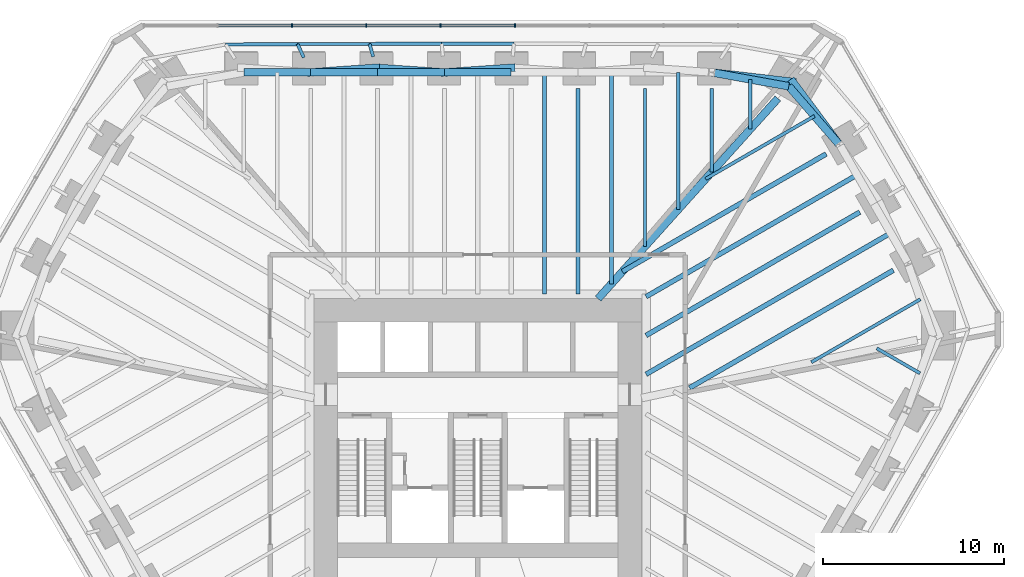
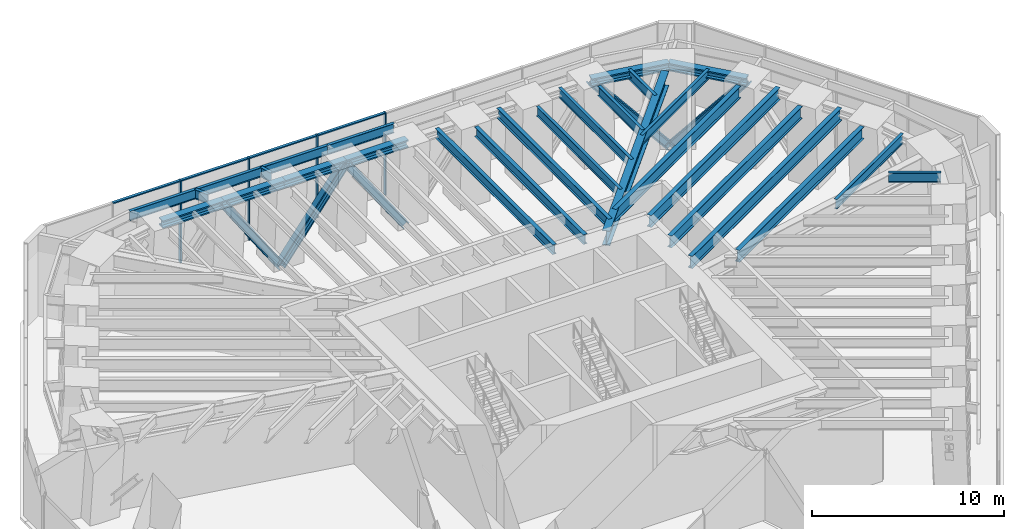
# One storey, part 7 of 12: 28 beams, 13 members, 1 element without a shape of its own.
"""IFC4 building model written with IfcOpenShell, lengths in metres."""

import ifcopenshell
import ifcopenshell.guid

model = None  # the IFC model being written
_history = None  # IfcOwnerHistory: only IFC2X3 demands one
_inside = {}  # id of a spatial element -> (the spatial element, [elements in it])
_under = {}  # id of a project, library or spatial element -> (it, [spatial elements below it])
_declared = {}  # id of a project -> (the project, [libraries it declares])
_typed = {}  # id of a type object -> (the type object, [elements of that type])
_made_of = {}  # id of a material, layer set ... -> (it, [elements and type objects made of it])


def new_model(schema):
    """Start an empty IFC model of exactly this schema.

    Asked for "IFC4X3", IfcOpenShell would pick the latest addendum, in which some entities
    have other attributes; the version numbers below select the first issue.
    IFC2X3 requires an IfcOwnerHistory on every rooted entity: one is made here for all.
    """
    global model, _history
    if schema == "IFC4X3":
        model = ifcopenshell.file(schema_version=(4, 3, 0, 0))
    else:
        model = ifcopenshell.file(schema=schema)
    _inside.clear()
    _under.clear()
    _declared.clear()
    _typed.clear()
    _made_of.clear()
    _history = None
    if model.schema == "IFC2X3":
        org = make("IfcOrganization", Name="unknown")
        user = make(
            "IfcPersonAndOrganization",
            ThePerson=make("IfcPerson", FamilyName="unknown"),
            TheOrganization=org,
        )
        app = make(
            "IfcApplication",
            ApplicationDeveloper=org,
            Version="unknown",
            ApplicationFullName="unknown",
            ApplicationIdentifier="unknown",
        )
        _history = make(
            "IfcOwnerHistory",
            OwningUser=user,
            OwningApplication=app,
            ChangeAction="ADDED",
            CreationDate=0,
        )
    return model


def make(cls, **values):
    """One entity of the class cls with the attributes given. An attribute that is None is left unset."""
    return model.create_entity(
        cls, **{name: value for name, value in values.items() if value is not None}
    )


def rooted(cls, **values):
    """An entity with a GlobalId (a new one), such as an element, a storey or a relation."""
    return make(cls, GlobalId=ifcopenshell.guid.new(), OwnerHistory=_history, **values)


def si_unit(unit_type, name, prefix=None):
    """IfcSIUnit, for example si_unit("LENGTHUNIT", "METRE", prefix="MILLI")."""
    return make("IfcSIUnit", UnitType=unit_type, Prefix=prefix, Name=name)


def assignment(units):
    """IfcUnitAssignment: the units of a project."""
    return None if units is None else make("IfcUnitAssignment", Units=units)


def point(xyz):
    """IfcCartesianPoint."""
    return None if xyz is None else make("IfcCartesianPoint", Coordinates=xyz)


def direction(xyz):
    """IfcDirection."""
    return None if xyz is None else make("IfcDirection", DirectionRatios=xyz)


def frame(location, z_axis=None, x_axis=None):
    """IfcAxis2Placement3D, a coordinate frame: its origin and axes. An axis left out is left unset."""
    return make(
        "IfcAxis2Placement3D",
        Location=point(location),
        Axis=direction(z_axis),
        RefDirection=direction(x_axis),
    )


def frame_2d(location, x_axis=None):
    """IfcAxis2Placement2D, a coordinate frame in the plane: its origin and x axis."""
    return make(
        "IfcAxis2Placement2D", Location=point(location), RefDirection=direction(x_axis)
    )


def origin():
    """The frame at (0, 0, 0) with its axes left unset."""
    return frame((0.0, 0.0, 0.0))


def origin_2d():
    """The frame at (0, 0) in the plane with its x axis left unset."""
    return frame_2d((0.0, 0.0))


def place(relative_to, where):
    """IfcLocalPlacement: puts the frame where relative to a parent placement (None: the world)."""
    return make(
        "IfcLocalPlacement", PlacementRelTo=relative_to, RelativePlacement=where
    )


def context(
    kind, dimensions, precision=None, world=None, true_north=None, identifier=None
):
    """IfcGeometricRepresentationContext, for example the 3D "Model" context."""
    return make(
        "IfcGeometricRepresentationContext",
        ContextIdentifier=identifier,
        ContextType=kind,
        CoordinateSpaceDimension=dimensions,
        Precision=precision,
        WorldCoordinateSystem=world,
        TrueNorth=true_north,
    )


def subcontext(parent, identifier, kind, view, scale=None):
    """IfcGeometricRepresentationSubContext, for example "Body" below "Model"."""
    return make(
        "IfcGeometricRepresentationSubContext",
        ContextIdentifier=identifier,
        ContextType=kind,
        ParentContext=parent,
        TargetScale=scale,
        TargetView=view,
    )


def project(units=None, contexts=None):
    """IfcProject with its units and contexts."""
    return rooted(
        "IfcProject",
        Name="project",
        RepresentationContexts=contexts,
        UnitsInContext=assignment(units),
    )


def spatial(cls, under=None, at=None, **own):
    """A site, building, storey or space (cls), placed at a placement, below another one or the project."""
    s = rooted(cls, ObjectPlacement=at, **own)
    if under is not None:
        _under.setdefault(under.id(), (under, []))[1].append(s)
    return s


def profile(cls, at=None, kind="AREA", **sizes):
    """A parametric profile (cls). Its sizes go by their IFC names, for example OverallWidth=200.0."""
    return make(cls, ProfileType=kind, Position=at, **sizes)


def rectangle(**sizes):
    """IfcRectangleProfileDef."""
    return profile("IfcRectangleProfileDef", **sizes)


def i_section(**sizes):
    """IfcIShapeProfileDef."""
    return profile("IfcIShapeProfileDef", **sizes)


def extrude(swept, where, along, depth):
    """IfcExtrudedAreaSolid: the profile swept, set in the frame where, extruded along a direction by depth."""
    return make(
        "IfcExtrudedAreaSolid",
        SweptArea=swept,
        Position=where,
        ExtrudedDirection=direction(along),
        Depth=depth,
    )


def shape(context_of_items, identifier, shape_type, items):
    """IfcShapeRepresentation: the items that make up one representation, for example the "Body"."""
    return make(
        "IfcShapeRepresentation",
        ContextOfItems=context_of_items,
        RepresentationIdentifier=identifier,
        RepresentationType=shape_type,
        Items=items,
    )


def material(Name=None, Category=None):
    """IfcMaterial."""
    return make("IfcMaterial", Name=Name, Category=Category)


def material_profile(
    of_material, cross_section, Name=None, Category=None, Priority=None
):
    """IfcMaterialProfile: a cross section and its material."""
    return make(
        "IfcMaterialProfile",
        Name=Name,
        Material=of_material,
        Profile=cross_section,
        Priority=Priority,
        Category=Category,
    )


def profile_set(profiles, Name=None, composite=None):
    """IfcMaterialProfileSet."""
    return make(
        "IfcMaterialProfileSet",
        Name=Name,
        MaterialProfiles=profiles,
        CompositeProfile=composite,
    )


def made_of(thing, what):
    """Note that an element or type object is made of a material, layer set ...; save() writes the relation."""
    if what is not None:
        _made_of.setdefault(what.id(), (what, []))[1].append(thing)
    return thing


def type_object(cls, material=None, **own):
    """A type object (cls), such as IfcWallType, which elements share."""
    return made_of(rooted(cls, **own), material)


def element(
    cls,
    number,
    at=None,
    inside=None,
    cuts=None,
    type_object=None,
    material=None,
    context=None,
    identifier="Body",
    shape_type=None,
    held_by="IfcProductDefinitionShape",
    body=None,
    shapes=None,
    **own,
):
    """One element of the class cls, such as IfcWall. Its Tag is "e" and its number.

    at: its placement. inside: the storey or other place that contains it. cuts: it is an
    opening in that element (IfcRelVoidsElement). A single representation is given by context,
    identifier, shape_type and body (its items); several are given by shapes. held_by: the class
    of the entity that holds the representations. save() writes the other relations.
    """
    e = rooted(cls, Tag="e%d" % number, ObjectPlacement=at, **own)
    if body is not None:
        shapes = [shape(context, identifier, shape_type, body)]
    if shapes is not None:
        e.Representation = make(held_by, Representations=shapes)
    if inside is not None:
        _inside.setdefault(inside.id(), (inside, []))[1].append(e)
    if cuts is not None:
        rooted(
            "IfcRelVoidsElement", RelatingBuildingElement=cuts, RelatedOpeningElement=e
        )
    if type_object is not None:
        _typed.setdefault(type_object.id(), (type_object, []))[1].append(e)
    return made_of(e, material)


def aggregate(whole, parts):
    """IfcRelAggregates: a whole, such as a stair, and the parts it consists of."""
    return rooted("IfcRelAggregates", RelatingObject=whole, RelatedObjects=parts)


def save(model, path):
    """Write the relations noted so far, then the file.

    IfcRelAggregates (storeys below a building ...), IfcRelContainedInSpatialStructure (elements
    in a storey), IfcRelDefinesByType, IfcRelAssociatesMaterial and IfcRelDeclares: one each for
    every whole, place, type object, material and project.
    """
    for whole, parts in _under.values():
        aggregate(whole, parts)
    for where, things in _inside.values():
        rooted(
            "IfcRelContainedInSpatialStructure",
            RelatedElements=things,
            RelatingStructure=where,
        )
    for kind, things in _typed.values():
        rooted("IfcRelDefinesByType", RelatedObjects=things, RelatingType=kind)
    for what, things in _made_of.values():
        rooted("IfcRelAssociatesMaterial", RelatedObjects=things, RelatingMaterial=what)
    for by, libraries in _declared.values():
        rooted("IfcRelDeclares", RelatingContext=by, RelatedDefinitions=libraries)
    model.write(path)


model = new_model("IFC4")

# Units and contexts
model_context = context("Model", 3, precision=1e-05, world=origin(), true_north=direction((0.0, 1.0)))
body_context = subcontext(model_context, "Body", "Model", "MODEL_VIEW")
ifc_project = project(units=[si_unit("LENGTHUNIT", "METRE"), si_unit("AREAUNIT", "SQUARE_METRE"), si_unit("VOLUMEUNIT", "CUBIC_METRE"), si_unit("PLANEANGLEUNIT", "RADIAN"), si_unit("MASSUNIT", "GRAM", prefix="KILO")], contexts=[model_context])

# Site, building, storey
site_placement = place(None, origin())
site = spatial("IfcSite", under=ifc_project, at=site_placement, CompositionType="ELEMENT")
building_placement = place(site_placement, origin())
building = spatial("IfcBuilding", under=site, at=building_placement, Name="Sandreach Pilgrim Tower", CompositionType="ELEMENT")
storey_placement = place(building_placement, frame((0.0, 0.0, 172.800048828125)))
storey = spatial("IfcBuildingStorey", under=building, at=storey_placement, Name="L43", CompositionType="ELEMENT", Elevation=172.800048828125)

# Beams
ifc_material_1 = material(Name="Steel ASTM A913 Grade 65", Category="steel")
ifc_material_profile_1 = material_profile(ifc_material_1, i_section(OverallWidth=0.4267578125, OverallDepth=0.482666015625, WebThickness=0.05126953125, FlangeThickness=0.08154296875, at=origin_2d()), Name="W14X455")
ifc_profile_set_1 = profile_set([ifc_material_profile_1], Name="Steel ASTM A913 Grade 65")
beam_type_1 = type_object("IfcBeamType", Name="Belt truss chord W14X455", PredefinedType="BEAM", material=ifc_profile_set_1)
beam_1_placement = place(storey_placement, frame((-12.923828125, 19.900146484375, 4.99853515625), z_axis=(1.0, 0.0, 0.0), x_axis=(0.0, 1.0, 0.0)))
element("IfcBeam", 1, at=beam_1_placement, inside=storey, type_object=beam_type_1, Name="BM L43 BTT01", PredefinedType="BEAM", context=body_context, shape_type="SweptSolid", body=[
    extrude(i_section(OverallWidth=0.4267578125, OverallDepth=0.482666015625, WebThickness=0.05126953125, FlangeThickness=0.08154296875, at=origin_2d()), origin(), (0.0, 0.0, 1.0), 3.692626953125),
])
beam_2_placement = place(storey_placement, frame((-9.231201171875, 19.900146484375, 4.99853515625), z_axis=(1.0, 0.0, 0.0), x_axis=(0.0, 1.0, 0.0)))
element("IfcBeam", 2, at=beam_2_placement, inside=storey, type_object=beam_type_1, Name="BM L43 BTT02", PredefinedType="BEAM", context=body_context, shape_type="SweptSolid", body=[
    extrude(i_section(OverallWidth=0.4267578125, OverallDepth=0.482666015625, WebThickness=0.05126953125, FlangeThickness=0.08154296875, at=origin_2d()), origin(), (0.0, 0.0, 1.0), 3.6923828125),
])
beam_3_placement = place(storey_placement, frame((-5.538818359375, 19.900146484375, 4.99853515625), z_axis=(1.0, 0.0, 0.0), x_axis=(0.0, 1.0, 0.0)))
element("IfcBeam", 3, at=beam_3_placement, inside=storey, type_object=beam_type_1, Name="BM L43 BTT03", PredefinedType="BEAM", context=body_context, shape_type="SweptSolid", body=[
    extrude(i_section(OverallWidth=0.4267578125, OverallDepth=0.482666015625, WebThickness=0.05126953125, FlangeThickness=0.08154296875, at=origin_2d()), origin(), (0.0, 0.0, 1.0), 3.692626953125),
])
beam_4_placement = place(storey_placement, frame((-1.84619140625, 19.900146484375, 4.99853515625), z_axis=(1.0, 0.0, 0.0), x_axis=(0.0, 1.0, 0.0)))
element("IfcBeam", 4, at=beam_4_placement, inside=storey, type_object=beam_type_1, Name="BM L43 BTT04", PredefinedType="BEAM", context=body_context, shape_type="SweptSolid", body=[
    extrude(i_section(OverallWidth=0.4267578125, OverallDepth=0.482666015625, WebThickness=0.05126953125, FlangeThickness=0.08154296875, at=origin_2d()), origin(), (0.0, 0.0, 1.0), 3.6923828125),
])
beam_5_placement = place(storey_placement, frame((12.923828125, 19.900146484375, 4.99853515625), z_axis=(0.984030345637, -0.178000783326, 0.0), x_axis=(0.178000783326, 0.984030345637, 0.0)))
element("IfcBeam", 5, at=beam_5_placement, inside=storey, type_object=beam_type_1, Name="BM L43 BTT08", PredefinedType="BEAM", context=body_context, shape_type="SweptSolid", body=[
    extrude(i_section(OverallWidth=0.4267578125, OverallDepth=0.482666015625, WebThickness=0.05126953125, FlangeThickness=0.08154296875, at=origin_2d()), origin(), (0.0, 0.0, 1.0), 4.3232421875),
])
beam_6_placement = place(storey_placement, frame((17.177978515625, 19.130615234375, 4.99853515625), z_axis=(0.65499040715, -0.755637192402, 0.0), x_axis=(0.755637192402, 0.65499040715, 0.0)))
element("IfcBeam", 6, at=beam_6_placement, inside=storey, type_object=beam_type_1, Name="BM L43 BTT09", PredefinedType="BEAM", context=body_context, shape_type="SweptSolid", body=[
    extrude(i_section(OverallWidth=0.4267578125, OverallDepth=0.482666015625, WebThickness=0.05126953125, FlangeThickness=0.08154296875, at=origin_2d()), origin(), (0.0, 0.0, 1.0), 4.346923828125),
])

# Members
ifc_material_2 = material(Name="Steel ASTM A913 Grade 65", Category="steel")
ifc_material_profile_2 = material_profile(ifc_material_2, i_section(OverallWidth=0.419189453125, OverallDepth=0.45458984375, WebThickness=0.042236328125, FlangeThickness=0.067626953125, at=origin_2d()), Name="W14X370")
ifc_profile_set_2 = profile_set([ifc_material_profile_2], Name="Steel ASTM A913 Grade 65")
member_type_1 = type_object("IfcMemberType", Name="Belt truss diagonal W14X370", PredefinedType="BRACE", material=ifc_profile_set_2)
member_1_placement = place(storey_placement, frame((-9.231201171875, 19.900146484375, 4.99853515625), z_axis=(0.556547976843, 0.039246894342, -0.829887962773), x_axis=(-0.070343751053, 0.997522810109, 0.0)))
element("IfcMember", 7, at=member_1_placement, inside=storey, type_object=member_type_1, Name="Belt truss diagonal L43 bay 02", PredefinedType="BRACE", context=body_context, shape_type="SweptSolid", body=[
    extrude(i_section(OverallWidth=0.419189453125, OverallDepth=0.45458984375, WebThickness=0.042236328125, FlangeThickness=0.067626953125, at=origin_2d()), origin(), (0.0, 0.0, 1.0), 6.5068359375),
])
member_2_placement = place(storey_placement, frame((-5.60986328125, 20.155517578125, -0.4013671875), z_axis=(0.571373379964, -0.038768588184, 0.819774028156), x_axis=(0.067695931188, 0.997705999231, 0.0)))
element("IfcMember", 8, at=member_2_placement, inside=storey, type_object=member_type_1, Name="Belt truss diagonal L43 bay 03", PredefinedType="BRACE", context=body_context, shape_type="SweptSolid", body=[
    extrude(i_section(OverallWidth=0.419189453125, OverallDepth=0.45458984375, WebThickness=0.042236328125, FlangeThickness=0.067626953125, at=origin_2d()), origin(), (0.0, 0.0, 1.0), 6.587158203125),
])
member_3_placement = place(storey_placement, frame((-1.84619140625, 19.900146484375, 4.99853515625), z_axis=(0.56647524898, 0.038928658461, -0.823158764664), x_axis=(-0.068559149712, 0.997647053316, 0.0)))
element("IfcMember", 9, at=member_3_placement, inside=storey, type_object=member_type_1, Name="Belt truss diagonal L43 bay 04", PredefinedType="BRACE", context=body_context, shape_type="SweptSolid", body=[
    extrude(i_section(OverallWidth=0.419189453125, OverallDepth=0.45458984375, WebThickness=0.042236328125, FlangeThickness=0.067626953125, at=origin_2d()), origin(), (0.0, 0.0, 1.0), 6.56005859375),
])
member_4_placement = place(storey_placement, frame((12.923828125, 19.900146484375, 4.99853515625), z_axis=(0.636457271189, -0.074211695343, -0.767733525532), x_axis=(0.115816567601, 0.993270619051, 0.0)))
element("IfcMember", 10, at=member_4_placement, inside=storey, type_object=member_type_1, Name="Belt truss diagonal L43 bay 08", PredefinedType="BRACE", context=body_context, shape_type="SweptSolid", body=[
    extrude(i_section(OverallWidth=0.419189453125, OverallDepth=0.45458984375, WebThickness=0.042236328125, FlangeThickness=0.067626953125, at=origin_2d()), origin(), (0.0, 0.0, 1.0), 7.033447265625),
])
member_5_placement = place(storey_placement, frame((17.400390625, 19.378173828125, -0.4013671875), z_axis=(0.376796214159, -0.50706795893, 0.775181719354), x_axis=(0.802655062656, 0.596443501425, 0.0)))
element("IfcMember", 11, at=member_5_placement, inside=storey, type_object=member_type_1, Name="Belt truss diagonal L43 bay 09", PredefinedType="BRACE", context=body_context, shape_type="SweptSolid", body=[
    extrude(i_section(OverallWidth=0.419189453125, OverallDepth=0.45458984375, WebThickness=0.042236328125, FlangeThickness=0.067626953125, at=origin_2d()), origin(), (0.0, 0.0, 1.0), 6.966064453125),
])

# Curtain wall, members
ifc_material_3 = material(Name="Aluminium framed curtain wall", Category="aluminium")
curtain_wall_type = type_object("IfcCurtainWallType", Name="Plant storey louvred curtain wall", PredefinedType="NOTDEFINED", material=ifc_material_3)
curtain_wall_placement = place(storey_placement, origin())
curtain_wall = element("IfcCurtainWall", 12, at=curtain_wall_placement, inside=storey, type_object=curtain_wall_type, Name="CW-L L43 N", PredefinedType="NOTDEFINED")
ifc_material_4 = material(Name="Aluminium extrusion", Category="aluminium")
ifc_material_profile_3 = material_profile(ifc_material_4, rectangle(XDim=0.080078125, YDim=0.199951171875, at=origin_2d()), Name="CW-LM 80X200")
ifc_profile_set_3 = profile_set([ifc_material_profile_3], Name="Aluminium extrusion")
member_type_2 = type_object("IfcMemberType", Name="CW-L mullion", PredefinedType="MULLION", material=ifc_profile_set_3)
member_6_placement = place(storey_placement, frame((-10.267333984375, 22.493896484375, 0.0), z_axis=(0.0, 0.0, 1.0), x_axis=(1.0, 0.0, 0.0)))
member_6 = element("IfcMember", 13, at=member_6_placement, type_object=member_type_2, Name="CW-L mullion 3", PredefinedType="MULLION", context=body_context, shape_type="SweptSolid", body=[
    extrude(rectangle(XDim=0.080078125, YDim=0.199951171875, at=origin_2d()), origin(), (0.0, 0.0, 1.0), 5.239990234375),
])
member_7_placement = place(storey_placement, frame((-6.160400390625, 22.493896484375, 0.0), z_axis=(0.0, 0.0, 1.0), x_axis=(1.0, 0.0, 0.0)))
member_7 = element("IfcMember", 14, at=member_7_placement, type_object=member_type_2, Name="CW-L mullion 4", PredefinedType="MULLION", context=body_context, shape_type="SweptSolid", body=[
    extrude(rectangle(XDim=0.080078125, YDim=0.199951171875, at=origin_2d()), origin(), (0.0, 0.0, 1.0), 5.239990234375),
])
member_8_placement = place(storey_placement, frame((-2.053466796875, 22.493896484375, 0.0), z_axis=(0.0, 0.0, 1.0), x_axis=(1.0, 0.0, 0.0)))
member_8 = element("IfcMember", 15, at=member_8_placement, type_object=member_type_2, Name="CW-L mullion 5", PredefinedType="MULLION", context=body_context, shape_type="SweptSolid", body=[
    extrude(rectangle(XDim=0.080078125, YDim=0.199951171875, at=origin_2d()), origin(), (0.0, 0.0, 1.0), 5.239990234375),
])
member_9_placement = place(storey_placement, frame((2.053466796875, 22.493896484375, 0.0), z_axis=(0.0, 0.0, 1.0), x_axis=(1.0, 0.0, 0.0)))
member_9 = element("IfcMember", 16, at=member_9_placement, type_object=member_type_2, Name="CW-L mullion 6", PredefinedType="MULLION", context=body_context, shape_type="SweptSolid", body=[
    extrude(rectangle(XDim=0.080078125, YDim=0.199951171875, at=origin_2d()), origin(), (0.0, 0.0, 1.0), 5.239990234375),
])
ifc_material_5 = material(Name="Aluminium extrusion", Category="aluminium")
ifc_material_profile_4 = material_profile(ifc_material_5, rectangle(XDim=0.159912109375, YDim=0.070068359375, at=origin_2d()), Name="CW-LT 160X70")
ifc_profile_set_4 = profile_set([ifc_material_profile_4], Name="Aluminium extrusion")
member_type_3 = type_object("IfcMemberType", Name="CW-L transom", PredefinedType="USERDEFINED", material=ifc_profile_set_4)
member_10_placement = place(storey_placement, frame((-14.33447265625, 22.493896484375, 5.204833984375), z_axis=(1.0, 0.0, 0.0), x_axis=(0.0, 1.0, 0.0)))
member_10 = element("IfcMember", 17, at=member_10_placement, type_object=member_type_3, Name="CW-L head transom 2", ObjectType="TRANSOM", PredefinedType="USERDEFINED", context=body_context, shape_type="SweptSolid", body=[
    extrude(rectangle(XDim=0.159912109375, YDim=0.070068359375, at=origin_2d()), origin(), (0.0, 0.0, 1.0), 4.027099609375),
])
member_11_placement = place(storey_placement, frame((-10.2275390625, 22.493896484375, 5.204833984375), z_axis=(1.0, 0.0, 0.0), x_axis=(0.0, 1.0, 0.0)))
member_11 = element("IfcMember", 18, at=member_11_placement, type_object=member_type_3, Name="CW-L head transom 3", ObjectType="TRANSOM", PredefinedType="USERDEFINED", context=body_context, shape_type="SweptSolid", body=[
    extrude(rectangle(XDim=0.159912109375, YDim=0.070068359375, at=origin_2d()), origin(), (0.0, 0.0, 1.0), 4.027099609375),
])
member_12_placement = place(storey_placement, frame((-6.120361328125, 22.493896484375, 5.204833984375), z_axis=(1.0, 0.0, 0.0), x_axis=(0.0, 1.0, 0.0)))
member_12 = element("IfcMember", 19, at=member_12_placement, type_object=member_type_3, Name="CW-L head transom 4", ObjectType="TRANSOM", PredefinedType="USERDEFINED", context=body_context, shape_type="SweptSolid", body=[
    extrude(rectangle(XDim=0.159912109375, YDim=0.070068359375, at=origin_2d()), origin(), (0.0, 0.0, 1.0), 4.02685546875),
])
member_13_placement = place(storey_placement, frame((-2.013427734375, 22.493896484375, 5.204833984375), z_axis=(1.0, 0.0, 0.0), x_axis=(0.0, 1.0, 0.0)))
member_13 = element("IfcMember", 20, at=member_13_placement, type_object=member_type_3, Name="CW-L head transom 5", ObjectType="TRANSOM", PredefinedType="USERDEFINED", context=body_context, shape_type="SweptSolid", body=[
    extrude(rectangle(XDim=0.159912109375, YDim=0.070068359375, at=origin_2d()), origin(), (0.0, 0.0, 1.0), 4.02685546875),
])
aggregate(curtain_wall, [member_6, member_7, member_8, member_9, member_10, member_11, member_12, member_13])

# Beams
ifc_material_6 = material(Name="Steel ASTM A992 Grade 50", Category="steel")
ifc_material_profile_5 = material_profile(ifc_material_6, i_section(OverallWidth=0.421630859375, OverallDepth=0.937255859375, WebThickness=0.0224609375, FlangeThickness=0.039794921875, at=origin_2d()), Name="W36X282")
ifc_profile_set_5 = profile_set([ifc_material_profile_5], Name="Steel ASTM A992 Grade 50")
beam_type_2 = type_object("IfcBeamType", Name="Corner girder W36X282", PredefinedType="BEAM", material=ifc_profile_set_5)
beam_7_placement = place(storey_placement, frame((16.57666015625, 18.4609375, 4.771240234375), z_axis=(-0.668107746157, -0.744064539893, 0.0), x_axis=(0.744064539893, -0.668107746157, 0.0)))
element("IfcBeam", 21, at=beam_7_placement, inside=storey, type_object=beam_type_2, Name="BM L43 CG09", PredefinedType="BEAM", context=body_context, shape_type="SweptSolid", body=[
    extrude(i_section(OverallWidth=0.421630859375, OverallDepth=0.937255859375, WebThickness=0.0224609375, FlangeThickness=0.039794921875, at=origin_2d()), origin(), (0.0, 0.0, 1.0), 14.86572265625),
])
ifc_material_7 = material(Name="Steel ASTM A992 Grade 50", Category="steel")
ifc_material_profile_6 = material_profile(ifc_material_7, i_section(OverallWidth=0.1787109375, OverallDepth=0.60205078125, WebThickness=0.010986328125, FlangeThickness=0.014892578125, at=origin_2d()), Name="W24X62")
ifc_profile_set_6 = profile_set([ifc_material_profile_6], Name="Steel ASTM A992 Grade 50")
beam_type_3 = type_object("IfcBeamType", Name="Floor beam W24X62", PredefinedType="BEAM", material=ifc_profile_set_6)
beam_8_placement = place(storey_placement, frame((9.231201171875, 19.0, 4.93896484375), z_axis=(0.0, -1.0, 0.0), x_axis=(1.0, 0.0, 0.0)))
element("IfcBeam", 22, at=beam_8_placement, inside=storey, type_object=beam_type_3, Name="BM L43 F07", PredefinedType="BEAM", context=body_context, shape_type="SweptSolid", body=[
    extrude(i_section(OverallWidth=0.1787109375, OverallDepth=0.60205078125, WebThickness=0.010986328125, FlangeThickness=0.014892578125, at=origin_2d()), origin(), (0.0, 0.0, 1.0), 8.719482421875),
])
beam_9_placement = place(storey_placement, frame((12.923828125, 19.0, 4.93896484375), z_axis=(0.0, -1.0, 0.0), x_axis=(1.0, 0.0, 0.0)))
element("IfcBeam", 23, at=beam_9_placement, inside=storey, type_object=beam_type_3, Name="BM L43 F08", PredefinedType="BEAM", context=body_context, shape_type="SweptSolid", body=[
    extrude(i_section(OverallWidth=0.1787109375, OverallDepth=0.60205078125, WebThickness=0.010986328125, FlangeThickness=0.014892578125, at=origin_2d()), origin(), (0.0, 0.0, 1.0), 4.607421875),
])
beam_10_placement = place(storey_placement, frame((11.077392578125, 19.900146484375, 4.93896484375), z_axis=(0.0, -1.0, 0.0), x_axis=(1.0, 0.0, 0.0)))
element("IfcBeam", 24, at=beam_10_placement, inside=storey, type_object=beam_type_3, Name="BM L43 FM07", PredefinedType="BEAM", context=body_context, shape_type="SweptSolid", body=[
    extrude(i_section(OverallWidth=0.1787109375, OverallDepth=0.60205078125, WebThickness=0.010986328125, FlangeThickness=0.014892578125, at=origin_2d()), origin(), (0.0, 0.0, 1.0), 7.563720703125),
])
beam_11_placement = place(storey_placement, frame((15.05078125, 19.515380859375, 4.93896484375), z_axis=(0.0, -1.0, 0.0), x_axis=(1.0, 0.0, 0.0)))
element("IfcBeam", 25, at=beam_11_placement, inside=storey, type_object=beam_type_3, Name="BM L43 FM08", PredefinedType="BEAM", context=body_context, shape_type="SweptSolid", body=[
    extrude(i_section(OverallWidth=0.1787109375, OverallDepth=0.60205078125, WebThickness=0.010986328125, FlangeThickness=0.014892578125, at=origin_2d()), origin(), (0.0, 0.0, 1.0), 2.75390625),
])
for number, where, z_axis, x_axis, name in (
    (26, (18.6015625, 17.48828125, 4.93896484375), (-0.866029381593, -0.499993110171, 0.0), (0.499993110171, -0.866029381593, 0.0), "BM L43 FM09"),
    (27, (24.446044921875, 7.365234375, 4.93896484375), (-0.866029381593, -0.499993110171, 0.0), (0.499993110171, -0.866029381593, 0.0), "BM L43 FM12"),
):
    element("IfcBeam", number, at=place(storey_placement, frame(where, z_axis=z_axis, x_axis=x_axis)), inside=storey, type_object=beam_type_3, Name=name, PredefinedType="BEAM", context=body_context, shape_type="SweptSolid", body=[
        extrude(i_section(OverallWidth=0.1787109375, OverallDepth=0.60205078125, WebThickness=0.010986328125, FlangeThickness=0.014892578125, at=origin_2d()), origin(), (0.0, 0.0, 1.0), 6.94921875),
    ])
beam_12_placement = place(storey_placement, frame((24.42626953125, 3.27685546875, 4.93896484375), z_axis=(-0.866046803606, 0.49996293259, 0.0), x_axis=(-0.49996293259, -0.866046803606, 0.0)))
element("IfcBeam", 28, at=beam_12_placement, inside=storey, type_object=beam_type_3, Name="BM L43 FM13", PredefinedType="BEAM", context=body_context, shape_type="SweptSolid", body=[
    extrude(i_section(OverallWidth=0.1787109375, OverallDepth=0.60205078125, WebThickness=0.010986328125, FlangeThickness=0.014892578125, at=origin_2d()), origin(), (0.0, 0.0, 1.0), 2.753662109375),
])
ifc_material_8 = material(Name="Steel ASTM A992 Grade 50", Category="steel")
ifc_material_profile_7 = material_profile(ifc_material_8, i_section(OverallWidth=0.23046875, OverallDepth=0.6171875, WebThickness=0.01318359375, FlangeThickness=0.022216796875, at=origin_2d()), Name="W24X94")
ifc_profile_set_7 = profile_set([ifc_material_profile_7], Name="Steel ASTM A992 Grade 50")
beam_type_4 = type_object("IfcBeamType", Name="Floor beam W24X94", PredefinedType="BEAM", material=ifc_profile_set_7)
beam_13_placement = place(storey_placement, frame((5.538818359375, 19.0, 4.931396484375), z_axis=(0.0, -1.0, 0.0), x_axis=(1.0, 0.0, 0.0)))
element("IfcBeam", 29, at=beam_13_placement, inside=storey, type_object=beam_type_4, Name="BM L43 F06", PredefinedType="BEAM", context=body_context, shape_type="SweptSolid", body=[
    extrude(i_section(OverallWidth=0.23046875, OverallDepth=0.6171875, WebThickness=0.01318359375, FlangeThickness=0.022216796875, at=origin_2d()), origin(), (0.0, 0.0, 1.0), 11.353759765625),
])
beam_14_placement = place(storey_placement, frame((3.6923828125, 19.900146484375, 4.931396484375), z_axis=(0.0, -1.0, 0.0), x_axis=(1.0, 0.0, 0.0)))
element("IfcBeam", 30, at=beam_14_placement, inside=storey, type_object=beam_type_4, Name="BM L43 FM05", PredefinedType="BEAM", context=body_context, shape_type="SweptSolid", body=[
    extrude(i_section(OverallWidth=0.23046875, OverallDepth=0.6171875, WebThickness=0.01318359375, FlangeThickness=0.022216796875, at=origin_2d()), origin(), (0.0, 0.0, 1.0), 12.25390625),
])
beam_15_placement = place(storey_placement, frame((7.385009765625, 19.900146484375, 4.931396484375), z_axis=(0.0, -1.0, 0.0), x_axis=(1.0, 0.0, 0.0)))
element("IfcBeam", 31, at=beam_15_placement, inside=storey, type_object=beam_type_4, Name="BM L43 FM06", PredefinedType="BEAM", context=body_context, shape_type="SweptSolid", body=[
    extrude(i_section(OverallWidth=0.23046875, OverallDepth=0.6171875, WebThickness=0.01318359375, FlangeThickness=0.022216796875, at=origin_2d()), origin(), (0.0, 0.0, 1.0), 11.67578125),
])
ifc_material_9 = material(Name="Steel ASTM A992 Grade 50", Category="steel")
ifc_material_profile_8 = material_profile(ifc_material_9, i_section(OverallWidth=0.2666015625, OverallDepth=0.761962890625, WebThickness=0.014404296875, FlangeThickness=0.021484375, at=origin_2d()), Name="W30X116")
ifc_profile_set_8 = profile_set([ifc_material_profile_8], Name="Steel ASTM A992 Grade 50")
beam_type_5 = type_object("IfcBeamType", Name="Floor beam W30X116", PredefinedType="BEAM", material=ifc_profile_set_8)
beam_16_placement = place(storey_placement, frame((19.24560546875, 15.395751953125, 4.85888671875), z_axis=(-0.866029195513, -0.499993432475, 0.0), x_axis=(0.499993432475, -0.866029195513, 0.0)))
element("IfcBeam", 32, at=beam_16_placement, inside=storey, type_object=beam_type_5, Name="BM L43 F10", PredefinedType="BEAM", context=body_context, shape_type="SweptSolid", body=[
    extrude(i_section(OverallWidth=0.2666015625, OverallDepth=0.761962890625, WebThickness=0.014404296875, FlangeThickness=0.021484375, at=origin_2d()), origin(), (0.0, 0.0, 1.0), 12.998291015625),
])
beam_17_placement = place(storey_placement, frame((21.100830078125, 12.1826171875, 4.85888671875), z_axis=(-0.866025715684, -0.499999459775, 0.0), x_axis=(0.499999459775, -0.866025715684, 0.0)))
element("IfcBeam", 33, at=beam_17_placement, inside=storey, type_object=beam_type_5, Name="BM L43 F11", PredefinedType="BEAM", context=body_context, shape_type="SweptSolid", body=[
    extrude(i_section(OverallWidth=0.2666015625, OverallDepth=0.761962890625, WebThickness=0.014404296875, FlangeThickness=0.021484375, at=origin_2d()), origin(), (0.0, 0.0, 1.0), 13.630859375),
])
beam_18_placement = place(storey_placement, frame((22.9560546875, 8.96923828125, 4.85888671875), z_axis=(-0.86602575807, -0.499999386358, 0.0), x_axis=(0.499999386358, -0.86602575807, 0.0)))
element("IfcBeam", 34, at=beam_18_placement, inside=storey, type_object=beam_type_5, Name="BM L43 F12", PredefinedType="BEAM", context=body_context, shape_type="SweptSolid", body=[
    extrude(i_section(OverallWidth=0.2666015625, OverallDepth=0.761962890625, WebThickness=0.014404296875, FlangeThickness=0.021484375, at=origin_2d()), origin(), (0.0, 0.0, 1.0), 12.99853515625),
])
beam_19_placement = place(storey_placement, frame((20.95263671875, 14.2392578125, 4.85888671875), z_axis=(-0.866022172569, -0.500005596587, 0.0), x_axis=(0.500005596587, -0.866022172569, 0.0)))
element("IfcBeam", 35, at=beam_19_placement, inside=storey, type_object=beam_type_5, Name="BM L43 FM10", PredefinedType="BEAM", context=body_context, shape_type="SweptSolid", body=[
    extrude(i_section(OverallWidth=0.2666015625, OverallDepth=0.761962890625, WebThickness=0.014404296875, FlangeThickness=0.021484375, at=origin_2d()), origin(), (0.0, 0.0, 1.0), 13.459716796875),
])
ifc_material_10 = material(Name="Steel ASTM A992 Grade 50", Category="steel")
ifc_material_profile_9 = material_profile(ifc_material_10, i_section(OverallWidth=0.2666015625, OverallDepth=0.77978515625, WebThickness=0.0166015625, FlangeThickness=0.030029296875, at=origin_2d()), Name="W30X148")
ifc_profile_set_9 = profile_set([ifc_material_profile_9], Name="Steel ASTM A992 Grade 50")
beam_type_6 = type_object("IfcBeamType", Name="Floor beam W30X148", PredefinedType="BEAM", material=ifc_profile_set_9)
beam_20_placement = place(storey_placement, frame((22.807861328125, 11.02587890625, 4.85009765625), z_axis=(-0.866024545277, -0.500001486976, 0.0), x_axis=(0.500001486976, -0.866024545277, 0.0)))
element("IfcBeam", 36, at=beam_20_placement, inside=storey, type_object=beam_type_6, Name="BM L43 FM11", PredefinedType="BEAM", context=body_context, shape_type="SweptSolid", body=[
    extrude(i_section(OverallWidth=0.2666015625, OverallDepth=0.77978515625, WebThickness=0.0166015625, FlangeThickness=0.030029296875, at=origin_2d()), origin(), (0.0, 0.0, 1.0), 15.60205078125),
])
ifc_material_11 = material(Name="Steel ASTM A992 Grade 50", Category="steel")
ifc_material_profile_10 = material_profile(ifc_material_11, i_section(OverallWidth=0.1787109375, OverallDepth=0.60205078125, WebThickness=0.010986328125, FlangeThickness=0.014892578125, at=origin_2d()), Name="W24X62")
ifc_profile_set_10 = profile_set([ifc_material_profile_10], Name="Steel ASTM A992 Grade 50")
beam_type_7 = type_object("IfcBeamType", Name="Setback roof edge beam W24X62", PredefinedType="BEAM", material=ifc_profile_set_10)
beam_21_placement = place(storey_placement, frame((-13.926025390625, 21.443359375, 4.89892578125), z_axis=(0.999990472645, 0.004365159764, 0.0), x_axis=(-0.004365159764, 0.999990472645, 0.0)))
element("IfcBeam", 37, at=beam_21_placement, inside=storey, type_object=beam_type_7, Name="BM L43 RE01", PredefinedType="BEAM", context=body_context, shape_type="SweptSolid", body=[
    extrude(i_section(OverallWidth=0.1787109375, OverallDepth=0.60205078125, WebThickness=0.010986328125, FlangeThickness=0.014892578125, at=origin_2d()), origin(), (0.0, 0.0, 1.0), 3.970947265625),
])
beam_22_placement = place(storey_placement, frame((-9.955078125, 21.460693359375, 4.89892578125), z_axis=(0.999993881284, 0.003498198799, 0.0), x_axis=(-0.003498198799, 0.999993881284, 0.0)))
element("IfcBeam", 38, at=beam_22_placement, inside=storey, type_object=beam_type_7, Name="BM L43 RE02", PredefinedType="BEAM", context=body_context, shape_type="SweptSolid", body=[
    extrude(i_section(OverallWidth=0.1787109375, OverallDepth=0.60205078125, WebThickness=0.010986328125, FlangeThickness=0.014892578125, at=origin_2d()), origin(), (0.0, 0.0, 1.0), 3.97802734375),
])
beam_23_placement = place(storey_placement, frame((-5.97705078125, 21.474609375, 4.89892578125), z_axis=(0.999997955144, 0.00202230252, 0.0), x_axis=(-0.00202230252, 0.999997955144, 0.0)))
element("IfcBeam", 39, at=beam_23_placement, inside=storey, type_object=beam_type_7, Name="BM L43 RE03", PredefinedType="BEAM", context=body_context, shape_type="SweptSolid", body=[
    extrude(i_section(OverallWidth=0.1787109375, OverallDepth=0.60205078125, WebThickness=0.010986328125, FlangeThickness=0.014892578125, at=origin_2d()), origin(), (0.0, 0.0, 1.0), 3.98388671875),
])
beam_24_placement = place(storey_placement, frame((-1.9931640625, 21.482666015625, 4.89892578125), z_axis=(1.0, 0.0, 0.0), x_axis=(0.0, 1.0, 0.0)))
element("IfcBeam", 40, at=beam_24_placement, inside=storey, type_object=beam_type_7, Name="BM L43 RE04", PredefinedType="BEAM", context=body_context, shape_type="SweptSolid", body=[
    extrude(i_section(OverallWidth=0.1787109375, OverallDepth=0.60205078125, WebThickness=0.010986328125, FlangeThickness=0.014892578125, at=origin_2d()), origin(), (0.0, 0.0, 1.0), 3.986328125),
])
ifc_material_12 = material(Name="Steel ASTM A992 Grade 50", Category="steel")
ifc_material_profile_11 = material_profile(ifc_material_12, i_section(OverallWidth=0.1787109375, OverallDepth=0.60205078125, WebThickness=0.010986328125, FlangeThickness=0.014892578125, at=origin_2d()), Name="W24X62")
ifc_profile_set_11 = profile_set([ifc_material_profile_11], Name="Steel ASTM A992 Grade 50")
beam_type_8 = type_object("IfcBeamType", Name="Setback roof outlooker W24X62", PredefinedType="BEAM", material=ifc_profile_set_11)
beam_25_placement = place(storey_placement, frame((-9.60986328125, 20.716552734375, 4.89892578125), z_axis=(-0.420831469536, 0.907138839565, 0.0), x_axis=(-0.907138839565, -0.420831469536, 0.0)))
element("IfcBeam", 41, at=beam_25_placement, inside=storey, type_object=beam_type_8, Name="BM L43 OL02", PredefinedType="BEAM", context=body_context, shape_type="SweptSolid", body=[
    extrude(i_section(OverallWidth=0.1787109375, OverallDepth=0.60205078125, WebThickness=0.010986328125, FlangeThickness=0.014892578125, at=origin_2d()), origin(), (0.0, 0.0, 1.0), 0.8203125),
])
beam_26_placement = place(storey_placement, frame((-5.780029296875, 20.76708984375, 4.89892578125), z_axis=(-0.268261019813, 0.96334626446, 0.0), x_axis=(-0.96334626446, -0.268261019813, 0.0)))
element("IfcBeam", 42, at=beam_26_placement, inside=storey, type_object=beam_type_8, Name="BM L43 OL03", PredefinedType="BEAM", context=body_context, shape_type="SweptSolid", body=[
    extrude(i_section(OverallWidth=0.1787109375, OverallDepth=0.60205078125, WebThickness=0.010986328125, FlangeThickness=0.014892578125, at=origin_2d()), origin(), (0.0, 0.0, 1.0), 0.734375),
])

save(model, "model.ifc")
